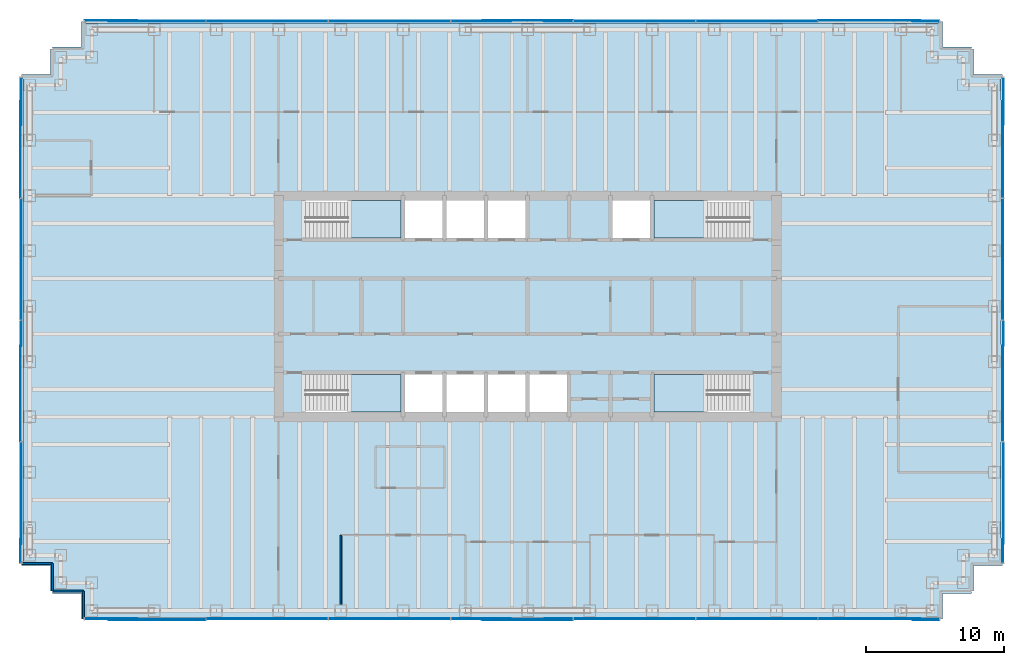
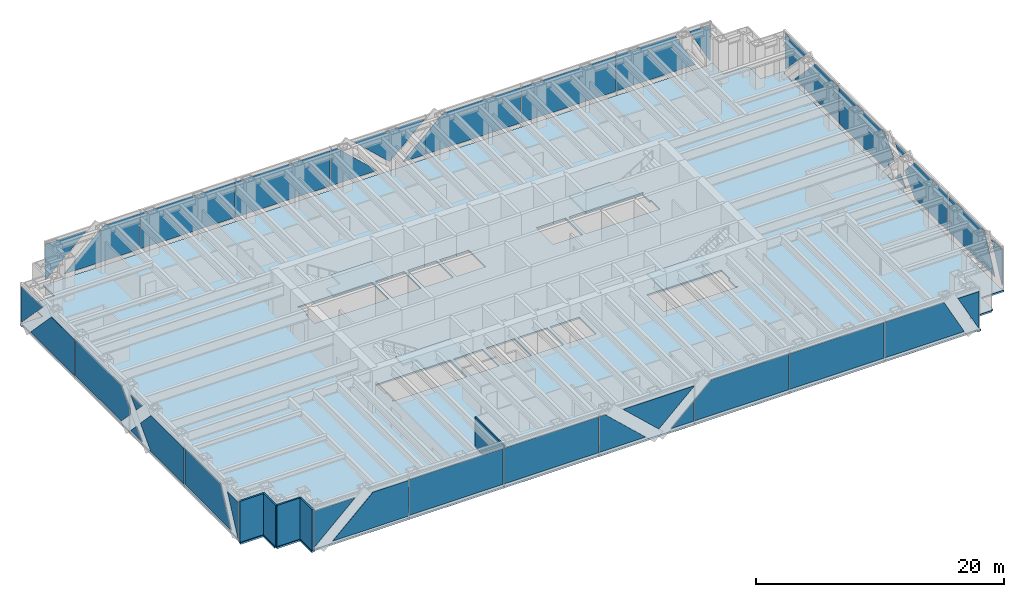
# One storey, part 10 of 15: 38 plates, 5 slabs, 5 walls, 8 elements without a shape of their own.
"""IFC4 building model written with IfcOpenShell, lengths in metres."""

import ifcopenshell
import ifcopenshell.guid

model = None  # the IFC model being written
_history = None  # IfcOwnerHistory: only IFC2X3 demands one
_inside = {}  # id of a spatial element -> (the spatial element, [elements in it])
_under = {}  # id of a project, library or spatial element -> (it, [spatial elements below it])
_declared = {}  # id of a project -> (the project, [libraries it declares])
_typed = {}  # id of a type object -> (the type object, [elements of that type])
_made_of = {}  # id of a material, layer set ... -> (it, [elements and type objects made of it])


def new_model(schema):
    """Start an empty IFC model of exactly this schema.

    Asked for "IFC4X3", IfcOpenShell would pick the latest addendum, in which some entities
    have other attributes; the version numbers below select the first issue.
    IFC2X3 requires an IfcOwnerHistory on every rooted entity: one is made here for all.
    """
    global model, _history
    if schema == "IFC4X3":
        model = ifcopenshell.file(schema_version=(4, 3, 0, 0))
    else:
        model = ifcopenshell.file(schema=schema)
    _inside.clear()
    _under.clear()
    _declared.clear()
    _typed.clear()
    _made_of.clear()
    _history = None
    if model.schema == "IFC2X3":
        org = make("IfcOrganization", Name="unknown")
        user = make(
            "IfcPersonAndOrganization",
            ThePerson=make("IfcPerson", FamilyName="unknown"),
            TheOrganization=org,
        )
        app = make(
            "IfcApplication",
            ApplicationDeveloper=org,
            Version="unknown",
            ApplicationFullName="unknown",
            ApplicationIdentifier="unknown",
        )
        _history = make(
            "IfcOwnerHistory",
            OwningUser=user,
            OwningApplication=app,
            ChangeAction="ADDED",
            CreationDate=0,
        )
    return model


def make(cls, **values):
    """One entity of the class cls with the attributes given. An attribute that is None is left unset."""
    return model.create_entity(
        cls, **{name: value for name, value in values.items() if value is not None}
    )


def rooted(cls, **values):
    """An entity with a GlobalId (a new one), such as an element, a storey or a relation."""
    return make(cls, GlobalId=ifcopenshell.guid.new(), OwnerHistory=_history, **values)


def si_unit(unit_type, name, prefix=None):
    """IfcSIUnit, for example si_unit("LENGTHUNIT", "METRE", prefix="MILLI")."""
    return make("IfcSIUnit", UnitType=unit_type, Prefix=prefix, Name=name)


def assignment(units):
    """IfcUnitAssignment: the units of a project."""
    return None if units is None else make("IfcUnitAssignment", Units=units)


def point(xyz):
    """IfcCartesianPoint."""
    return None if xyz is None else make("IfcCartesianPoint", Coordinates=xyz)


def direction(xyz):
    """IfcDirection."""
    return None if xyz is None else make("IfcDirection", DirectionRatios=xyz)


def frame(location, z_axis=None, x_axis=None):
    """IfcAxis2Placement3D, a coordinate frame: its origin and axes. An axis left out is left unset."""
    return make(
        "IfcAxis2Placement3D",
        Location=point(location),
        Axis=direction(z_axis),
        RefDirection=direction(x_axis),
    )


def frame_2d(location, x_axis=None):
    """IfcAxis2Placement2D, a coordinate frame in the plane: its origin and x axis."""
    return make(
        "IfcAxis2Placement2D", Location=point(location), RefDirection=direction(x_axis)
    )


def origin():
    """The frame at (0, 0, 0) with its axes left unset."""
    return frame((0.0, 0.0, 0.0))


def origin_2d():
    """The frame at (0, 0) in the plane with its x axis left unset."""
    return frame_2d((0.0, 0.0))


def place(relative_to, where):
    """IfcLocalPlacement: puts the frame where relative to a parent placement (None: the world)."""
    return make(
        "IfcLocalPlacement", PlacementRelTo=relative_to, RelativePlacement=where
    )


def context(
    kind, dimensions, precision=None, world=None, true_north=None, identifier=None
):
    """IfcGeometricRepresentationContext, for example the 3D "Model" context."""
    return make(
        "IfcGeometricRepresentationContext",
        ContextIdentifier=identifier,
        ContextType=kind,
        CoordinateSpaceDimension=dimensions,
        Precision=precision,
        WorldCoordinateSystem=world,
        TrueNorth=true_north,
    )


def subcontext(parent, identifier, kind, view, scale=None):
    """IfcGeometricRepresentationSubContext, for example "Body" below "Model"."""
    return make(
        "IfcGeometricRepresentationSubContext",
        ContextIdentifier=identifier,
        ContextType=kind,
        ParentContext=parent,
        TargetScale=scale,
        TargetView=view,
    )


def project(units=None, contexts=None):
    """IfcProject with its units and contexts."""
    return rooted(
        "IfcProject",
        Name="project",
        RepresentationContexts=contexts,
        UnitsInContext=assignment(units),
    )


def spatial(cls, under=None, at=None, **own):
    """A site, building, storey or space (cls), placed at a placement, below another one or the project."""
    s = rooted(cls, ObjectPlacement=at, **own)
    if under is not None:
        _under.setdefault(under.id(), (under, []))[1].append(s)
    return s


def polyline(points):
    """IfcPolyline through the points."""
    return make("IfcPolyline", Points=[point(p) for p in points])


def profile(cls, at=None, kind="AREA", **sizes):
    """A parametric profile (cls). Its sizes go by their IFC names, for example OverallWidth=200.0."""
    return make(cls, ProfileType=kind, Position=at, **sizes)


def rectangle(**sizes):
    """IfcRectangleProfileDef."""
    return profile("IfcRectangleProfileDef", **sizes)


def outline(outer, holes=None, kind="AREA"):
    """IfcArbitraryClosedProfileDef: a profile drawn as a closed curve; with holes, ...WithVoids."""
    if holes is None:
        return make("IfcArbitraryClosedProfileDef", ProfileType=kind, OuterCurve=outer)
    return make(
        "IfcArbitraryProfileDefWithVoids",
        ProfileType=kind,
        OuterCurve=outer,
        InnerCurves=holes,
    )


def extrude(swept, where, along, depth):
    """IfcExtrudedAreaSolid: the profile swept, set in the frame where, extruded along a direction by depth."""
    return make(
        "IfcExtrudedAreaSolid",
        SweptArea=swept,
        Position=where,
        ExtrudedDirection=direction(along),
        Depth=depth,
    )


def shape(context_of_items, identifier, shape_type, items):
    """IfcShapeRepresentation: the items that make up one representation, for example the "Body"."""
    return make(
        "IfcShapeRepresentation",
        ContextOfItems=context_of_items,
        RepresentationIdentifier=identifier,
        RepresentationType=shape_type,
        Items=items,
    )


def material(Name=None, Category=None):
    """IfcMaterial."""
    return make("IfcMaterial", Name=Name, Category=Category)


def layer(
    of_material, thickness, ventilated=None, Name=None, Category=None, Priority=None
):
    """IfcMaterialLayer: one layer of a wall or slab, of a material (None: an air gap)."""
    return make(
        "IfcMaterialLayer",
        Material=of_material,
        LayerThickness=thickness,
        IsVentilated=ventilated,
        Name=Name,
        Category=Category,
        Priority=Priority,
    )


def layer_set(layers, Name=None):
    """IfcMaterialLayerSet."""
    return make("IfcMaterialLayerSet", MaterialLayers=layers, LayerSetName=Name)


def made_of(thing, what):
    """Note that an element or type object is made of a material, layer set ...; save() writes the relation."""
    if what is not None:
        _made_of.setdefault(what.id(), (what, []))[1].append(thing)
    return thing


def type_object(cls, material=None, **own):
    """A type object (cls), such as IfcWallType, which elements share."""
    return made_of(rooted(cls, **own), material)


def element(
    cls,
    number,
    at=None,
    inside=None,
    cuts=None,
    type_object=None,
    material=None,
    context=None,
    identifier="Body",
    shape_type=None,
    held_by="IfcProductDefinitionShape",
    body=None,
    shapes=None,
    **own,
):
    """One element of the class cls, such as IfcWall. Its Tag is "e" and its number.

    at: its placement. inside: the storey or other place that contains it. cuts: it is an
    opening in that element (IfcRelVoidsElement). A single representation is given by context,
    identifier, shape_type and body (its items); several are given by shapes. held_by: the class
    of the entity that holds the representations. save() writes the other relations.
    """
    e = rooted(cls, Tag="e%d" % number, ObjectPlacement=at, **own)
    if body is not None:
        shapes = [shape(context, identifier, shape_type, body)]
    if shapes is not None:
        e.Representation = make(held_by, Representations=shapes)
    if inside is not None:
        _inside.setdefault(inside.id(), (inside, []))[1].append(e)
    if cuts is not None:
        rooted(
            "IfcRelVoidsElement", RelatingBuildingElement=cuts, RelatedOpeningElement=e
        )
    if type_object is not None:
        _typed.setdefault(type_object.id(), (type_object, []))[1].append(e)
    return made_of(e, material)


def aggregate(whole, parts):
    """IfcRelAggregates: a whole, such as a stair, and the parts it consists of."""
    return rooted("IfcRelAggregates", RelatingObject=whole, RelatedObjects=parts)


def save(model, path):
    """Write the relations noted so far, then the file.

    IfcRelAggregates (storeys below a building ...), IfcRelContainedInSpatialStructure (elements
    in a storey), IfcRelDefinesByType, IfcRelAssociatesMaterial and IfcRelDeclares: one each for
    every whole, place, type object, material and project.
    """
    for whole, parts in _under.values():
        aggregate(whole, parts)
    for where, things in _inside.values():
        rooted(
            "IfcRelContainedInSpatialStructure",
            RelatedElements=things,
            RelatingStructure=where,
        )
    for kind, things in _typed.values():
        rooted("IfcRelDefinesByType", RelatedObjects=things, RelatingType=kind)
    for what, things in _made_of.values():
        rooted("IfcRelAssociatesMaterial", RelatedObjects=things, RelatingMaterial=what)
    for by, libraries in _declared.values():
        rooted("IfcRelDeclares", RelatingContext=by, RelatedDefinitions=libraries)
    model.write(path)


model = new_model("IFC4")

# Units and contexts
model_context = context("Model", 3, precision=1e-05, world=origin(), true_north=direction((0.0, 1.0)))
body_context = subcontext(model_context, "Body", "Model", "MODEL_VIEW")
ifc_project = project(units=[si_unit("LENGTHUNIT", "METRE"), si_unit("AREAUNIT", "SQUARE_METRE"), si_unit("VOLUMEUNIT", "CUBIC_METRE"), si_unit("PLANEANGLEUNIT", "RADIAN"), si_unit("MASSUNIT", "GRAM", prefix="KILO")], contexts=[model_context])

# Site, building, storey
site_placement = place(None, origin())
site = spatial("IfcSite", under=ifc_project, at=site_placement, CompositionType="ELEMENT")
building_placement = place(site_placement, origin())
building = spatial("IfcBuilding", under=site, at=building_placement, Name="Rheinbord Bourse Tower", CompositionType="ELEMENT")
storey_placement = place(building_placement, frame((0.0, 0.0, 275.300048828125)))
storey = spatial("IfcBuildingStorey", under=building, at=storey_placement, Name="L62", CompositionType="ELEMENT", Elevation=275.300048828125)

# Slab
ifc_material_1 = material(Name="Concrete C30/37", Category="concrete")
ifc_layer_1 = layer(ifc_material_1, 0.159912109375)
ifc_layer_set_1 = layer_set([ifc_layer_1], Name="COMPOSITE FLOOR SLAB 160")
slab_type_1 = type_object("IfcSlabType", Name="COMPOSITE FLOOR SLAB 160", PredefinedType="FLOOR", material=ifc_layer_set_1)
slab_1_placement = place(storey_placement, frame((0.0, 0.0, -0.16015625)))
element("IfcSlab", 1, at=slab_1_placement, inside=storey, type_object=slab_type_1, Name="Floor slab L62", PredefinedType="FLOOR", context=body_context, shape_type="SweptSolid", body=[
    extrude(outline(polyline([(1.64990234375, 3.39990234375), (1.5, 3.39990234375), (1.5, 5.25), (-0.60009765625, 5.25), (-0.60009765625, 5.550048828125), (-0.5, 5.550048828125), (-0.5, 40.449951171875), (-0.60009765625, 40.449951171875), (-0.60009765625, 40.75), (1.5, 40.75), (1.5, 42.60009765625), (1.64990234375, 42.60009765625), (1.64990234375, 42.75), (3.75, 42.75), (3.75, 44.60009765625), (4.050048828125, 44.60009765625), (4.050048828125, 44.5), (65.699951171875, 44.5), (65.699951171875, 44.60009765625), (66.0, 44.60009765625), (66.0, 42.75), (68.10009765625, 42.75), (68.10009765625, 42.60009765625), (68.25, 42.60009765625), (68.25, 40.75), (70.35009765625, 40.75), (70.35009765625, 40.449951171875), (70.25, 40.449951171875), (70.25, 5.550048828125), (70.35009765625, 5.550048828125), (70.35009765625, 5.25), (68.25, 5.25), (68.25, 3.39990234375), (68.10009765625, 3.39990234375), (68.10009765625, 3.25), (66.0, 3.25), (66.0, 1.39990234375), (65.699951171875, 1.39990234375), (65.699951171875, 1.5), (4.050048828125, 1.5), (4.050048828125, 1.39990234375), (3.75, 1.39990234375), (3.75, 3.25), (1.64990234375, 3.25), (1.64990234375, 3.39990234375)]), holes=[polyline([(19.949951171875, 19.050048828125), (26.85009765625, 19.050048828125), (26.85009765625, 16.35009765625), (19.949951171875, 16.35009765625), (19.949951171875, 16.449951171875), (20.10009765625, 16.449951171875), (20.10009765625, 17.64990234375), (19.949951171875, 17.64990234375), (19.949951171875, 19.050048828125)]), polyline([(19.949951171875, 31.64990234375), (26.85009765625, 31.64990234375), (26.85009765625, 28.949951171875), (19.949951171875, 28.949951171875), (19.949951171875, 30.35009765625), (20.10009765625, 30.35009765625), (20.10009765625, 31.550048828125), (19.949951171875, 31.550048828125), (19.949951171875, 31.64990234375)]), polyline([(52.050048828125, 16.35009765625), (45.14990234375, 16.35009765625), (45.14990234375, 19.050048828125), (52.050048828125, 19.050048828125), (52.050048828125, 17.64990234375), (51.89990234375, 17.64990234375), (51.89990234375, 16.449951171875), (52.050048828125, 16.449951171875), (52.050048828125, 16.35009765625)]), polyline([(52.050048828125, 28.949951171875), (45.14990234375, 28.949951171875), (45.14990234375, 31.64990234375), (52.050048828125, 31.64990234375), (52.050048828125, 31.550048828125), (51.89990234375, 31.550048828125), (51.89990234375, 30.35009765625), (52.050048828125, 30.35009765625), (52.050048828125, 28.949951171875)]), polyline([(27.14990234375, 16.35009765625), (27.14990234375, 19.050048828125), (29.85009765625, 19.050048828125), (29.85009765625, 16.35009765625), (27.14990234375, 16.35009765625)]), polyline([(27.14990234375, 28.949951171875), (27.14990234375, 31.64990234375), (29.85009765625, 31.64990234375), (29.85009765625, 28.949951171875), (27.14990234375, 28.949951171875)]), polyline([(30.14990234375, 16.35009765625), (30.14990234375, 19.050048828125), (32.85009765625, 19.050048828125), (32.85009765625, 16.35009765625), (30.14990234375, 16.35009765625)]), polyline([(30.14990234375, 28.949951171875), (30.14990234375, 31.64990234375), (32.85009765625, 31.64990234375), (32.85009765625, 28.949951171875), (30.14990234375, 28.949951171875)]), polyline([(33.14990234375, 16.35009765625), (33.14990234375, 19.050048828125), (35.85009765625, 19.050048828125), (35.85009765625, 16.35009765625), (33.14990234375, 16.35009765625)]), polyline([(33.14990234375, 28.949951171875), (33.14990234375, 31.64990234375), (35.85009765625, 31.64990234375), (35.85009765625, 28.949951171875), (33.14990234375, 28.949951171875)]), polyline([(36.14990234375, 16.35009765625), (36.14990234375, 19.050048828125), (38.85009765625, 19.050048828125), (38.85009765625, 16.35009765625), (36.14990234375, 16.35009765625)]), polyline([(42.14990234375, 28.949951171875), (42.14990234375, 31.64990234375), (44.85009765625, 31.64990234375), (44.85009765625, 28.949951171875), (42.14990234375, 28.949951171875)])]), origin(), (0.0, 0.0, 1.0), 0.16015625),
])

# Curtain wall, plates
ifc_material_2 = material(Name="Dark glass and black aluminium", Category="aluminium")
curtain_wall_type = type_object("IfcCurtainWallType", Name="CW3 DARK GLASS CURTAIN WALL", PredefinedType="USERDEFINED", material=ifc_material_2)
curtain_wall_1_placement = place(storey_placement, origin())
curtain_wall_1 = element("IfcCurtainWall", 2, at=curtain_wall_1_placement, inside=storey, type_object=curtain_wall_type, Name="Curtain wall CW3 S L62", ObjectType="UNITISED CURTAIN WALL", PredefinedType="USERDEFINED")
ifc_material_3 = material(Name="Dark tinted triple insulating glass", Category="glass")
ifc_layer_2 = layer(ifc_material_3, 0.055908203125)
ifc_layer_set_2 = layer_set([ifc_layer_2], Name="CW3 DARK GLASS PANEL")
plate_type = type_object("IfcPlateType", Name="CW3 DARK GLASS PANEL", PredefinedType="CURTAIN_PANEL", material=ifc_layer_set_2)
plate_1_placement = place(storey_placement, frame((17.175048828125, 1.39990234375, 0.349853515625), z_axis=(0.0, 0.0, 1.0), x_axis=(1.0, 0.0, 0.0)))
plate_1 = element("IfcPlate", 3, at=plate_1_placement, type_object=plate_type, Name="CW3 panel 2.1", PredefinedType="CURTAIN_PANEL", context=body_context, shape_type="SweptSolid", body=[
    extrude(rectangle(XDim=8.784912109375, YDim=0.055908203125, at=origin_2d()), origin(), (0.0, 0.0, 1.0), 3.5),
])
plate_2_placement = place(storey_placement, frame((26.02490234375, 1.39990234375, 0.349853515625), z_axis=(0.0, 0.0, 1.0), x_axis=(1.0, 0.0, 0.0)))
plate_2 = element("IfcPlate", 4, at=plate_2_placement, type_object=plate_type, Name="CW3 panel 3.1", PredefinedType="CURTAIN_PANEL", context=body_context, shape_type="SweptSolid", body=[
    extrude(rectangle(XDim=8.784912109375, YDim=0.055908203125, at=origin_2d()), origin(), (0.0, 0.0, 1.0), 3.5),
])
plate_3_placement = place(storey_placement, frame((52.574951171875, 1.39990234375, 0.349853515625), z_axis=(0.0, 0.0, 1.0), x_axis=(1.0, 0.0, 0.0)))
plate_3 = element("IfcPlate", 5, at=plate_3_placement, type_object=plate_type, Name="CW3 panel 6.1", PredefinedType="CURTAIN_PANEL", context=body_context, shape_type="SweptSolid", body=[
    extrude(rectangle(XDim=8.784912109375, YDim=0.055908203125, at=origin_2d()), origin(), (0.0, 0.0, 1.0), 3.5),
])
plate_4_placement = place(storey_placement, frame((3.965087890625, 1.3720703125, 0.349853515625), z_axis=(0.0, 1.0, 0.0), x_axis=(0.0, 0.0, 1.0)))
plate_4 = element("IfcPlate", 6, at=plate_4_placement, type_object=plate_type, Name="CW3 glass facet 1", PredefinedType="CURTAIN_PANEL", context=body_context, shape_type="SweptSolid", body=[
    extrude(outline(polyline([(0.0, 0.0), (3.5, 0.0), (3.5, 3.847900390625), (0.0, 0.097900390625), (0.0, 0.0)])), origin(), (0.0, 0.0, 1.0), 0.055908203125),
])
plate_5_placement = place(storey_placement, frame((12.717041015625, 1.31103515625, 3.849853515625), z_axis=(0.0, 1.0, 0.0), x_axis=(0.0, 0.0, -1.0)))
plate_5 = element("IfcPlate", 7, at=plate_5_placement, type_object=plate_type, Name="CW3 glass facet 2", PredefinedType="CURTAIN_PANEL", context=body_context, shape_type="SweptSolid", body=[
    extrude(outline(polyline([(0.0, 0.0), (3.5, 0.0), (3.5, 7.030029296875), (0.0, 3.280029296875), (0.0, 0.0)])), origin(), (0.0, 0.0, 1.0), 0.055908203125),
])
plate_6_placement = place(storey_placement, frame((30.48193359375, 1.3720703125, 0.349853515625), z_axis=(0.0, 1.0, 0.0), x_axis=(0.0, 0.0, 1.0)))
plate_6 = element("IfcPlate", 8, at=plate_6_placement, type_object=plate_type, Name="CW3 glass facet 1", PredefinedType="CURTAIN_PANEL", context=body_context, shape_type="SweptSolid", body=[
    extrude(outline(polyline([(0.0, 0.0), (3.5, 0.0), (3.5, 0.5810546875), (0.0, 4.3310546875), (0.0, 0.0)])), origin(), (0.0, 0.0, 1.0), 0.055908203125),
])
plate_7_placement = place(storey_placement, frame((39.26806640625, 1.31103515625, 3.849853515625), z_axis=(0.0, 1.0, 0.0), x_axis=(0.0, 0.0, -1.0)))
plate_7 = element("IfcPlate", 9, at=plate_7_placement, type_object=plate_type, Name="CW3 glass facet 2", PredefinedType="CURTAIN_PANEL", context=body_context, shape_type="SweptSolid", body=[
    extrude(outline(polyline([(0.0, 0.0), (0.04296875, 0.0), (3.091796875, 3.26806640625), (0.0, 6.5810546875), (0.0, 0.0)])), origin(), (0.0, 0.0, 1.0), 0.055908203125),
])
plate_8_placement = place(storey_placement, frame((39.26806640625, 1.3720703125, 0.349853515625), z_axis=(0.0, 1.0, 0.0), x_axis=(-1.0, 0.0, 0.0)))
plate_8 = element("IfcPlate", 10, at=plate_8_placement, type_object=plate_type, Name="CW3 glass facet 3", PredefinedType="CURTAIN_PANEL", context=body_context, shape_type="SweptSolid", body=[
    extrude(outline(polyline([(0.0, 0.0), (2.0810546875, 0.0), (0.0, 1.942138671875), (0.0, 0.0)])), origin(), (0.0, 0.0, 1.0), 0.055908203125),
])
plate_9_placement = place(storey_placement, frame((48.116943359375, 1.3720703125, 3.849853515625), z_axis=(0.0, 1.0, 0.0), x_axis=(0.0, 0.0, -1.0)))
plate_9 = element("IfcPlate", 11, at=plate_9_placement, type_object=plate_type, Name="CW3 glass facet 1", PredefinedType="CURTAIN_PANEL", context=body_context, shape_type="SweptSolid", body=[
    extrude(outline(polyline([(0.0, 0.0), (3.5, 0.0), (3.5, 8.783935546875), (1.496826171875, 8.783935546875), (0.0, 7.179931640625), (0.0, 0.0)])), origin(), (0.0, 0.0, 1.0), 0.055908203125),
])
plate_10_placement = place(storey_placement, frame((57.031982421875, 1.3720703125, 0.349853515625), z_axis=(0.0, 1.0, 0.0), x_axis=(0.0, 0.0, 1.0)))
plate_10 = element("IfcPlate", 12, at=plate_10_placement, type_object=plate_type, Name="CW3 glass facet 1", PredefinedType="CURTAIN_PANEL", context=body_context, shape_type="SweptSolid", body=[
    extrude(outline(polyline([(0.0, 0.0), (3.5, 0.0), (3.5, 5.527099609375), (0.0, 7.402099609375), (0.0, 0.0)])), origin(), (0.0, 0.0, 1.0), 0.055908203125),
])
plate_11_placement = place(storey_placement, frame((65.784912109375, 1.31103515625, 3.849853515625), z_axis=(0.0, 1.0, 0.0), x_axis=(0.0, 0.0, -1.0)))
plate_11 = element("IfcPlate", 13, at=plate_11_placement, type_object=plate_type, Name="CW3 glass facet 2", PredefinedType="CURTAIN_PANEL", context=body_context, shape_type="SweptSolid", body=[
    extrude(outline(polyline([(0.0, 0.0), (3.5, 0.0), (3.5, 0.093994140625), (0.0, 1.968994140625), (0.0, 0.0)])), origin(), (0.0, 0.0, 1.0), 0.055908203125),
])
aggregate(curtain_wall_1, [plate_1, plate_2, plate_3, plate_4, plate_5, plate_6, plate_7, plate_8, plate_9, plate_10, plate_11])

curtain_wall_2_placement = place(storey_placement, origin())
curtain_wall_2 = element("IfcCurtainWall", 14, at=curtain_wall_2_placement, inside=storey, type_object=curtain_wall_type, Name="Curtain wall CW3 E L62", ObjectType="UNITISED CURTAIN WALL", PredefinedType="USERDEFINED")
plate_12_placement = place(storey_placement, frame((70.3779296875, 5.465087890625, 0.349853515625), z_axis=(-1.0, 0.0, 0.0), x_axis=(0.0, 0.0, 1.0)))
plate_12 = element("IfcPlate", 15, at=plate_12_placement, type_object=plate_type, Name="CW3 glass facet 1", PredefinedType="CURTAIN_PANEL", context=body_context, shape_type="SweptSolid", body=[
    extrude(outline(polyline([(0.0, 0.0), (3.5, 0.0), (3.5, 1.7548828125), (0.0, 0.087890625), (0.0, 0.0)])), origin(), (0.0, 0.0, 1.0), 0.055908203125),
])
plate_13_placement = place(storey_placement, frame((70.43896484375, 14.16796875, 3.849853515625), z_axis=(-1.0, 0.0, 0.0), x_axis=(0.0, 0.0, -1.0)))
plate_13 = element("IfcPlate", 16, at=plate_13_placement, type_object=plate_type, Name="CW3 glass facet 2", PredefinedType="CURTAIN_PANEL", context=body_context, shape_type="SweptSolid", body=[
    extrude(outline(polyline([(0.0, 0.0), (3.5, 0.0), (3.5, 7.387939453125), (0.0, 5.720947265625), (0.0, 0.0)])), origin(), (0.0, 0.0, 1.0), 0.055908203125),
])
plate_14_placement = place(storey_placement, frame((70.3779296875, 14.23193359375, 0.349853515625), z_axis=(-1.0, 0.0, 0.0), x_axis=(0.0, 0.0, 1.0)))
plate_14 = element("IfcPlate", 17, at=plate_14_placement, type_object=plate_type, Name="CW3 glass facet 1", PredefinedType="CURTAIN_PANEL", context=body_context, shape_type="SweptSolid", body=[
    extrude(outline(polyline([(0.0, 0.0), (3.5, 0.0), (3.5, 5.336181640625), (1.75, 7.003173828125), (0.0, 5.336181640625), (0.0, 0.0)])), origin(), (0.0, 0.0, 1.0), 0.055908203125),
])
plate_15_placement = place(storey_placement, frame((70.43896484375, 21.097900390625, 0.349853515625), z_axis=(-1.0, 0.0, 0.0), x_axis=(0.0, 0.689725085129, 0.72407134106)))
plate_15 = element("IfcPlate", 18, at=plate_15_placement, type_object=plate_type, Name="CW3 glass facet 2", PredefinedType="CURTAIN_PANEL", context=body_context, shape_type="SweptSolid", body=[
    extrude(outline(polyline([(0.0, 0.0), (1.307861328125, 0.0), (1.244384765625, 1.306396484375), (0.0, 0.0)])), origin(), (0.0, 0.0, 1.0), 0.055908203125),
])
plate_16_placement = place(storey_placement, frame((70.43896484375, 22.902099609375, 3.849853515625), z_axis=(-1.0, 0.0, 0.0), x_axis=(0.0, -0.689725085129, -0.72407134106)))
plate_16 = element("IfcPlate", 19, at=plate_16_placement, type_object=plate_type, Name="CW3 glass facet 3", PredefinedType="CURTAIN_PANEL", context=body_context, shape_type="SweptSolid", body=[
    extrude(outline(polyline([(0.0, 0.0), (1.307861328125, 0.0), (1.244384765625, 1.306396484375), (0.0, 0.0)])), origin(), (0.0, 0.0, 1.0), 0.055908203125),
])
plate_17_placement = place(storey_placement, frame((70.3779296875, 31.76708984375, 3.849853515625), z_axis=(-1.0, 0.0, 0.0), x_axis=(0.0, 0.0, -1.0)))
plate_17 = element("IfcPlate", 20, at=plate_17_placement, type_object=plate_type, Name="CW3 glass facet 1", PredefinedType="CURTAIN_PANEL", context=body_context, shape_type="SweptSolid", body=[
    extrude(outline(polyline([(0.0, 0.0), (3.5, 0.0), (3.5, 7.335205078125), (2.031005859375, 8.735107421875), (1.468994140625, 8.735107421875), (0.0, 7.335205078125), (0.0, 0.0)])), origin(), (0.0, 0.0, 1.0), 0.055908203125),
])
plate_18_placement = place(storey_placement, frame((70.3779296875, 31.8330078125, 0.349853515625), z_axis=(-1.0, 0.0, 0.0), x_axis=(0.0, 0.0, 1.0)))
plate_18 = element("IfcPlate", 21, at=plate_18_placement, type_object=plate_type, Name="CW3 glass facet 1", PredefinedType="CURTAIN_PANEL", context=body_context, shape_type="SweptSolid", body=[
    extrude(outline(polyline([(0.0, 0.0), (3.5, 0.0), (3.5, 3.735107421875), (0.0, 7.069091796875), (0.0, 0.0)])), origin(), (0.0, 0.0, 1.0), 0.055908203125),
])
plate_19_placement = place(storey_placement, frame((70.43896484375, 40.534912109375, 3.849853515625), z_axis=(-1.0, 0.0, 0.0), x_axis=(0.0, 0.0, -1.0)))
plate_19 = element("IfcPlate", 22, at=plate_19_placement, type_object=plate_type, Name="CW3 glass facet 2", PredefinedType="CURTAIN_PANEL", context=body_context, shape_type="SweptSolid", body=[
    extrude(outline(polyline([(0.0, 0.0), (3.5, 0.0), (3.5, 0.10302734375), (0.0, 3.43701171875), (0.0, 0.0)])), origin(), (0.0, 0.0, 1.0), 0.055908203125),
])
aggregate(curtain_wall_2, [plate_12, plate_13, plate_14, plate_15, plate_16, plate_17, plate_18, plate_19])

curtain_wall_3_placement = place(storey_placement, origin())
curtain_wall_3 = element("IfcCurtainWall", 23, at=curtain_wall_3_placement, inside=storey, type_object=curtain_wall_type, Name="Curtain wall CW3 N L62", ObjectType="UNITISED CURTAIN WALL", PredefinedType="USERDEFINED")
plate_20_placement = place(storey_placement, frame((52.574951171875, 44.60009765625, 0.349853515625), z_axis=(0.0, 0.0, 1.0), x_axis=(-1.0, 0.0, 0.0)))
plate_20 = element("IfcPlate", 24, at=plate_20_placement, type_object=plate_type, Name="CW3 panel 2.1", PredefinedType="CURTAIN_PANEL", context=body_context, shape_type="SweptSolid", body=[
    extrude(rectangle(XDim=8.784912109375, YDim=0.055908203125, at=origin_2d()), origin(), (0.0, 0.0, 1.0), 3.5),
])
plate_21_placement = place(storey_placement, frame((26.02490234375, 44.60009765625, 0.349853515625), z_axis=(0.0, 0.0, 1.0), x_axis=(-1.0, 0.0, 0.0)))
plate_21 = element("IfcPlate", 25, at=plate_21_placement, type_object=plate_type, Name="CW3 panel 5.1", PredefinedType="CURTAIN_PANEL", context=body_context, shape_type="SweptSolid", body=[
    extrude(rectangle(XDim=8.784912109375, YDim=0.055908203125, at=origin_2d()), origin(), (0.0, 0.0, 1.0), 3.5),
])
plate_22_placement = place(storey_placement, frame((17.175048828125, 44.60009765625, 0.349853515625), z_axis=(0.0, 0.0, 1.0), x_axis=(-1.0, 0.0, 0.0)))
plate_22 = element("IfcPlate", 26, at=plate_22_placement, type_object=plate_type, Name="CW3 panel 6.1", PredefinedType="CURTAIN_PANEL", context=body_context, shape_type="SweptSolid", body=[
    extrude(rectangle(XDim=8.784912109375, YDim=0.055908203125, at=origin_2d()), origin(), (0.0, 0.0, 1.0), 3.5),
])
plate_23_placement = place(storey_placement, frame((65.784912109375, 44.6279296875, 0.349853515625), z_axis=(0.0, -1.0, 0.0), x_axis=(0.0, 0.0, 1.0)))
plate_23 = element("IfcPlate", 27, at=plate_23_placement, type_object=plate_type, Name="CW3 glass facet 1", PredefinedType="CURTAIN_PANEL", context=body_context, shape_type="SweptSolid", body=[
    extrude(outline(polyline([(0.0, 0.0), (3.5, 0.0), (3.5, 1.968994140625), (0.0, 0.093994140625), (0.0, 0.0)])), origin(), (0.0, 0.0, 1.0), 0.055908203125),
])
plate_24_placement = place(storey_placement, frame((57.031982421875, 44.68896484375, 3.849853515625), z_axis=(0.0, -1.0, 0.0), x_axis=(0.0, 0.0, -1.0)))
plate_24 = element("IfcPlate", 28, at=plate_24_placement, type_object=plate_type, Name="CW3 glass facet 2", PredefinedType="CURTAIN_PANEL", context=body_context, shape_type="SweptSolid", body=[
    extrude(outline(polyline([(0.0, 0.0), (3.5, 0.0), (3.5, 7.402099609375), (0.0, 5.527099609375), (0.0, 0.0)])), origin(), (0.0, 0.0, 1.0), 0.055908203125),
])
plate_25_placement = place(storey_placement, frame((39.33203125, 44.6279296875, 0.349853515625), z_axis=(0.0, -1.0, 0.0), x_axis=(1.0, 0.0, 0.0)))
plate_25 = element("IfcPlate", 29, at=plate_25_placement, type_object=plate_type, Name="CW3 glass facet 1", PredefinedType="CURTAIN_PANEL", context=body_context, shape_type="SweptSolid", body=[
    extrude(outline(polyline([(0.0, 0.0), (8.784912109375, 0.0), (8.784912109375, 3.5), (1.60498046875, 3.5), (0.0, 2.003173828125), (0.0, 0.0)])), origin(), (0.0, 0.0, 1.0), 0.055908203125),
])
plate_26_placement = place(storey_placement, frame((39.26708984375, 44.6279296875, 0.349853515625), z_axis=(0.0, -1.0, 0.0), x_axis=(0.0, 0.0, 1.0)))
plate_26 = element("IfcPlate", 30, at=plate_26_placement, type_object=plate_type, Name="CW3 glass facet 1", PredefinedType="CURTAIN_PANEL", context=body_context, shape_type="SweptSolid", body=[
    extrude(outline(polyline([(0.0, 0.0), (1.942138671875, 0.0), (0.0, 2.080078125), (0.0, 0.0)])), origin(), (0.0, 0.0, 1.0), 0.055908203125),
])
plate_27_placement = place(storey_placement, frame((39.26708984375, 44.68896484375, 3.849853515625), z_axis=(0.0, -1.0, 0.0), x_axis=(-1.0, 0.0, 0.0)))
plate_27 = element("IfcPlate", 31, at=plate_27_placement, type_object=plate_type, Name="CW3 glass facet 2", PredefinedType="CURTAIN_PANEL", context=body_context, shape_type="SweptSolid", body=[
    extrude(outline(polyline([(0.0, 0.0), (6.580078125, 0.0), (3.26708984375, 3.091796875), (0.0, 0.04296875), (0.0, 0.0)])), origin(), (0.0, 0.0, 1.0), 0.055908203125),
])
plate_28_placement = place(storey_placement, frame((30.48291015625, 44.6279296875, 3.849853515625), z_axis=(0.0, -1.0, 0.0), x_axis=(0.0, 0.0, -1.0)))
plate_28 = element("IfcPlate", 32, at=plate_28_placement, type_object=plate_type, Name="CW3 glass facet 3", PredefinedType="CURTAIN_PANEL", context=body_context, shape_type="SweptSolid", body=[
    extrude(outline(polyline([(0.0, 0.0), (3.5, 0.0), (3.5, 4.330078125), (0.0, 0.580078125), (0.0, 0.0)])), origin(), (0.0, 0.0, 1.0), 0.055908203125),
])
plate_29_placement = place(storey_placement, frame((12.718017578125, 44.6279296875, 0.349853515625), z_axis=(0.0, -1.0, 0.0), x_axis=(0.0, 0.0, 1.0)))
plate_29 = element("IfcPlate", 33, at=plate_29_placement, type_object=plate_type, Name="CW3 glass facet 1", PredefinedType="CURTAIN_PANEL", context=body_context, shape_type="SweptSolid", body=[
    extrude(outline(polyline([(0.0, 0.0), (3.5, 0.0), (3.5, 3.281005859375), (0.0, 7.031005859375), (0.0, 0.0)])), origin(), (0.0, 0.0, 1.0), 0.055908203125),
])
plate_30_placement = place(storey_placement, frame((3.965087890625, 44.68896484375, 3.849853515625), z_axis=(0.0, -1.0, 0.0), x_axis=(0.0, 0.0, -1.0)))
plate_30 = element("IfcPlate", 34, at=plate_30_placement, type_object=plate_type, Name="CW3 glass facet 2", PredefinedType="CURTAIN_PANEL", context=body_context, shape_type="SweptSolid", body=[
    extrude(outline(polyline([(0.0, 0.0), (3.5, 0.0), (3.5, 0.097900390625), (0.0, 3.847900390625), (0.0, 0.0)])), origin(), (0.0, 0.0, 1.0), 0.055908203125),
])
aggregate(curtain_wall_3, [plate_20, plate_21, plate_22, plate_23, plate_24, plate_25, plate_26, plate_27, plate_28, plate_29, plate_30])

curtain_wall_4_placement = place(storey_placement, origin())
curtain_wall_4 = element("IfcCurtainWall", 35, at=curtain_wall_4_placement, inside=storey, type_object=curtain_wall_type, Name="Curtain wall CW3 W L62", ObjectType="UNITISED CURTAIN WALL", PredefinedType="USERDEFINED")
plate_31_placement = place(storey_placement, frame((-0.6279296875, 40.534912109375, 0.349853515625), z_axis=(1.0, 0.0, 0.0), x_axis=(0.0, 0.0, 1.0)))
plate_31 = element("IfcPlate", 36, at=plate_31_placement, type_object=plate_type, Name="CW3 glass facet 1", PredefinedType="CURTAIN_PANEL", context=body_context, shape_type="SweptSolid", body=[
    extrude(outline(polyline([(0.0, 0.0), (3.5, 0.0), (3.5, 3.43701171875), (0.0, 0.10302734375), (0.0, 0.0)])), origin(), (0.0, 0.0, 1.0), 0.055908203125),
])
plate_32_placement = place(storey_placement, frame((-0.68896484375, 31.8330078125, 3.849853515625), z_axis=(1.0, 0.0, 0.0), x_axis=(0.0, 0.0, -1.0)))
plate_32 = element("IfcPlate", 37, at=plate_32_placement, type_object=plate_type, Name="CW3 glass facet 2", PredefinedType="CURTAIN_PANEL", context=body_context, shape_type="SweptSolid", body=[
    extrude(outline(polyline([(0.0, 0.0), (3.5, 0.0), (3.5, 7.069091796875), (0.0, 3.735107421875), (0.0, 0.0)])), origin(), (0.0, 0.0, 1.0), 0.055908203125),
])
plate_33_placement = place(storey_placement, frame((-0.6279296875, 31.76708984375, 0.349853515625), z_axis=(1.0, 0.0, 0.0), x_axis=(0.0, 0.0, 1.0)))
plate_33 = element("IfcPlate", 38, at=plate_33_placement, type_object=plate_type, Name="CW3 glass facet 1", PredefinedType="CURTAIN_PANEL", context=body_context, shape_type="SweptSolid", body=[
    extrude(outline(polyline([(0.0, 0.0), (3.5, 0.0), (3.5, 7.335205078125), (2.031005859375, 8.735107421875), (1.468994140625, 8.735107421875), (0.0, 7.335205078125), (0.0, 0.0)])), origin(), (0.0, 0.0, 1.0), 0.055908203125),
])
plate_34_placement = place(storey_placement, frame((-0.6279296875, 22.902099609375, 0.349853515625), z_axis=(1.0, 0.0, 0.0), x_axis=(0.0, -0.689725085129, 0.72407134106)))
plate_34 = element("IfcPlate", 39, at=plate_34_placement, type_object=plate_type, Name="CW3 glass facet 1", PredefinedType="CURTAIN_PANEL", context=body_context, shape_type="SweptSolid", body=[
    extrude(outline(polyline([(0.0, 0.0), (1.307861328125, 0.0), (1.244384765625, 1.306396484375), (0.0, 0.0)])), origin(), (0.0, 0.0, 1.0), 0.055908203125),
])
plate_35_placement = place(storey_placement, frame((-0.6279296875, 21.097900390625, 3.849853515625), z_axis=(1.0, 0.0, 0.0), x_axis=(0.0, 0.689725085129, -0.72407134106)))
plate_35 = element("IfcPlate", 40, at=plate_35_placement, type_object=plate_type, Name="CW3 glass facet 2", PredefinedType="CURTAIN_PANEL", context=body_context, shape_type="SweptSolid", body=[
    extrude(outline(polyline([(0.0, 0.0), (1.307861328125, 0.0), (1.244384765625, 1.306396484375), (0.0, 0.0)])), origin(), (0.0, 0.0, 1.0), 0.055908203125),
])
plate_36_placement = place(storey_placement, frame((-0.68896484375, 14.23291015625, 3.849853515625), z_axis=(1.0, 0.0, 0.0), x_axis=(0.0, 0.0, -1.0)))
plate_36 = element("IfcPlate", 41, at=plate_36_placement, type_object=plate_type, Name="CW3 glass facet 3", PredefinedType="CURTAIN_PANEL", context=body_context, shape_type="SweptSolid", body=[
    extrude(outline(polyline([(0.0, 0.0), (3.5, 0.0), (3.5, 5.335205078125), (1.75, 7.002197265625), (0.0, 5.335205078125), (0.0, 0.0)])), origin(), (0.0, 0.0, 1.0), 0.055908203125),
])
plate_37_placement = place(storey_placement, frame((-0.6279296875, 14.1669921875, 0.349853515625), z_axis=(1.0, 0.0, 0.0), x_axis=(0.0, 0.0, 1.0)))
plate_37 = element("IfcPlate", 42, at=plate_37_placement, type_object=plate_type, Name="CW3 glass facet 1", PredefinedType="CURTAIN_PANEL", context=body_context, shape_type="SweptSolid", body=[
    extrude(outline(polyline([(0.0, 0.0), (3.5, 0.0), (3.5, 5.719970703125), (0.0, 7.386962890625), (0.0, 0.0)])), origin(), (0.0, 0.0, 1.0), 0.055908203125),
])
plate_38_placement = place(storey_placement, frame((-0.68896484375, 5.465087890625, 3.849853515625), z_axis=(1.0, 0.0, 0.0), x_axis=(0.0, 0.0, -1.0)))
plate_38 = element("IfcPlate", 43, at=plate_38_placement, type_object=plate_type, Name="CW3 glass facet 2", PredefinedType="CURTAIN_PANEL", context=body_context, shape_type="SweptSolid", body=[
    extrude(outline(polyline([(0.0, 0.0), (3.5, 0.0), (3.5, 0.087890625), (0.0, 1.7548828125), (0.0, 0.0)])), origin(), (0.0, 0.0, 1.0), 0.055908203125),
])
aggregate(curtain_wall_4, [plate_31, plate_32, plate_33, plate_34, plate_35, plate_36, plate_37, plate_38])

# Stair, slab
ifc_material_4 = material(Name="Concrete C30/37", Category="concrete")
stair_type = type_object("IfcStairType", Name="CORE STAIR HALF TURN 4200", PredefinedType="HALF_TURN_STAIR", material=ifc_material_4)
stair_1_placement = place(storey_placement, origin())
stair_1 = element("IfcStair", 44, at=stair_1_placement, inside=storey, type_object=stair_type, Name="Stair ST1 L62, type CS6", PredefinedType="HALF_TURN_STAIR")
ifc_material_5 = material(Name="Concrete C30/37", Category="concrete")
ifc_layer_3 = layer(ifc_material_5, 0.199951171875)
ifc_layer_set_3 = layer_set([ifc_layer_3], Name="STAIR LANDING 200")
slab_type_2 = type_object("IfcSlabType", Name="STAIR LANDING 200", PredefinedType="LANDING", material=ifc_layer_set_3)
slab_2_placement = place(storey_placement, frame((0.0, 0.0, 1.89990234375)))
slab_2 = element("IfcSlab", 45, at=slab_2_placement, type_object=slab_type_2, Name="Half landing ST1 L62", PredefinedType="LANDING", context=body_context, shape_type="SweptSolid", body=[
    extrude(outline(polyline([(23.030029296875, 16.35009765625), (26.85009765625, 16.35009765625), (26.85009765625, 19.050048828125), (21.748046875, 19.050048828125), (21.748046875, 17.85009765625), (23.030029296875, 17.85009765625), (23.030029296875, 16.35009765625)])), origin(), (0.0, 0.0, 1.0), 0.199951171875),
])
aggregate(stair_1, [slab_2])

stair_2_placement = place(storey_placement, origin())
stair_2 = element("IfcStair", 46, at=stair_2_placement, inside=storey, type_object=stair_type, Name="Stair ST2 L62, type CS6", PredefinedType="HALF_TURN_STAIR")
slab_3_placement = place(storey_placement, frame((0.0, 0.0, 1.89990234375)))
slab_3 = element("IfcSlab", 47, at=slab_3_placement, type_object=slab_type_2, Name="Half landing ST2 L62", PredefinedType="LANDING", context=body_context, shape_type="SweptSolid", body=[
    extrude(outline(polyline([(21.748046875, 28.949951171875), (26.85009765625, 28.949951171875), (26.85009765625, 31.64990234375), (23.030029296875, 31.64990234375), (23.030029296875, 30.14990234375), (21.748046875, 30.14990234375), (21.748046875, 28.949951171875)])), origin(), (0.0, 0.0, 1.0), 0.199951171875),
])
aggregate(stair_2, [slab_3])

stair_3_placement = place(storey_placement, origin())
stair_3 = element("IfcStair", 48, at=stair_3_placement, inside=storey, type_object=stair_type, Name="Stair ST3 L62, type CS6", PredefinedType="HALF_TURN_STAIR")
slab_4_placement = place(storey_placement, frame((0.0, 0.0, 1.89990234375)))
slab_4 = element("IfcSlab", 49, at=slab_4_placement, type_object=slab_type_2, Name="Half landing ST3 L62", PredefinedType="LANDING", context=body_context, shape_type="SweptSolid", body=[
    extrude(outline(polyline([(45.14990234375, 16.35009765625), (48.969970703125, 16.35009765625), (48.969970703125, 17.85009765625), (50.251953125, 17.85009765625), (50.251953125, 19.050048828125), (45.14990234375, 19.050048828125), (45.14990234375, 16.35009765625)])), origin(), (0.0, 0.0, 1.0), 0.199951171875),
])
aggregate(stair_3, [slab_4])

stair_4_placement = place(storey_placement, origin())
stair_4 = element("IfcStair", 50, at=stair_4_placement, inside=storey, type_object=stair_type, Name="Stair ST4 L62, type CS6", PredefinedType="HALF_TURN_STAIR")
slab_5_placement = place(storey_placement, frame((0.0, 0.0, 1.89990234375)))
slab_5 = element("IfcSlab", 51, at=slab_5_placement, type_object=slab_type_2, Name="Half landing ST4 L62", PredefinedType="LANDING", context=body_context, shape_type="SweptSolid", body=[
    extrude(outline(polyline([(45.14990234375, 28.949951171875), (50.251953125, 28.949951171875), (50.251953125, 30.14990234375), (48.969970703125, 30.14990234375), (48.969970703125, 31.64990234375), (45.14990234375, 31.64990234375), (45.14990234375, 28.949951171875)])), origin(), (0.0, 0.0, 1.0), 0.199951171875),
])
aggregate(stair_4, [slab_5])

# Walls
ifc_material_6 = material(Name="Black metal rainscreen panel", Category="aluminium")
ifc_layer_4 = layer(ifc_material_6, 0.14990234375)
ifc_layer_set_4 = layer_set([ifc_layer_4], Name="CORNER PIER CLADDING 150")
wall_type_1 = type_object("IfcWallType", Name="CORNER PIER CLADDING 150", PredefinedType="ELEMENTEDWALL", material=ifc_layer_set_4)
wall_1_placement = place(storey_placement, frame((-0.60009765625, 5.39990234375, 0.0), z_axis=(0.0, 0.0, 1.0), x_axis=(1.0, 0.0, 0.0)))
element("IfcWall", 52, at=wall_1_placement, inside=storey, type_object=wall_type_1, Name="Corner pier cladding L62 17", PredefinedType="ELEMENTEDWALL", context=body_context, shape_type="SweptSolid", body=[
    extrude(rectangle(XDim=2.25, YDim=0.14990234375, at=frame_2d((1.125, 0.0))), origin(), (0.0, 0.0, 1.0), 4.0400390625),
])
wall_2_placement = place(storey_placement, frame((1.64990234375, 5.39990234375, 0.0), z_axis=(0.0, 0.0, 1.0), x_axis=(0.0, -1.0, 0.0)))
element("IfcWall", 53, at=wall_2_placement, inside=storey, type_object=wall_type_1, Name="Corner pier cladding L62 18", PredefinedType="ELEMENTEDWALL", context=body_context, shape_type="SweptSolid", body=[
    extrude(rectangle(XDim=2.0, YDim=0.14990234375, at=frame_2d((1.0, 0.0))), origin(), (0.0, 0.0, 1.0), 4.0400390625),
])
wall_3_placement = place(storey_placement, frame((1.64990234375, 3.39990234375, 0.0), z_axis=(0.0, 0.0, 1.0), x_axis=(1.0, 0.0, 0.0)))
element("IfcWall", 54, at=wall_3_placement, inside=storey, type_object=wall_type_1, Name="Corner pier cladding L62 19", PredefinedType="ELEMENTEDWALL", context=body_context, shape_type="SweptSolid", body=[
    extrude(rectangle(XDim=2.25, YDim=0.14990234375, at=frame_2d((1.125, 0.0))), origin(), (0.0, 0.0, 1.0), 4.0400390625),
])
wall_4_placement = place(storey_placement, frame((3.89990234375, 3.39990234375, 0.0), z_axis=(0.0, 0.0, 1.0), x_axis=(0.0, -1.0, 0.0)))
element("IfcWall", 55, at=wall_4_placement, inside=storey, type_object=wall_type_1, Name="Corner pier cladding L62 20", PredefinedType="ELEMENTEDWALL", context=body_context, shape_type="SweptSolid", body=[
    extrude(rectangle(XDim=2.0, YDim=0.14990234375, at=frame_2d((1.0, 0.0))), origin(), (0.0, 0.0, 1.0), 4.0400390625),
])
ifc_material_7 = material(Name="Toughened laminated glass partition", Category="glass")
ifc_layer_5 = layer(ifc_material_7, 0.10009765625)
ifc_layer_set_5 = layer_set([ifc_layer_5], Name="GLAZED PARTITION 100")
wall_type_2 = type_object("IfcWallType", Name="GLAZED PARTITION 100", PredefinedType="PARTITIONING", material=ifc_layer_set_5)
wall_5_placement = place(storey_placement, frame((22.5, 2.449951171875, 0.0), z_axis=(0.0, 0.0, 1.0), x_axis=(0.0, 1.0, 0.0)))
element("IfcWall", 56, at=wall_5_placement, inside=storey, type_object=wall_type_2, Name="Partition L62-17", PredefinedType="PARTITIONING", context=body_context, shape_type="SweptSolid", body=[
    extrude(rectangle(XDim=5.0, YDim=0.10009765625, at=frame_2d((2.5, 0.0))), origin(), (0.0, 0.0, 1.0), 3.0),
])

save(model, "model.ifc")
